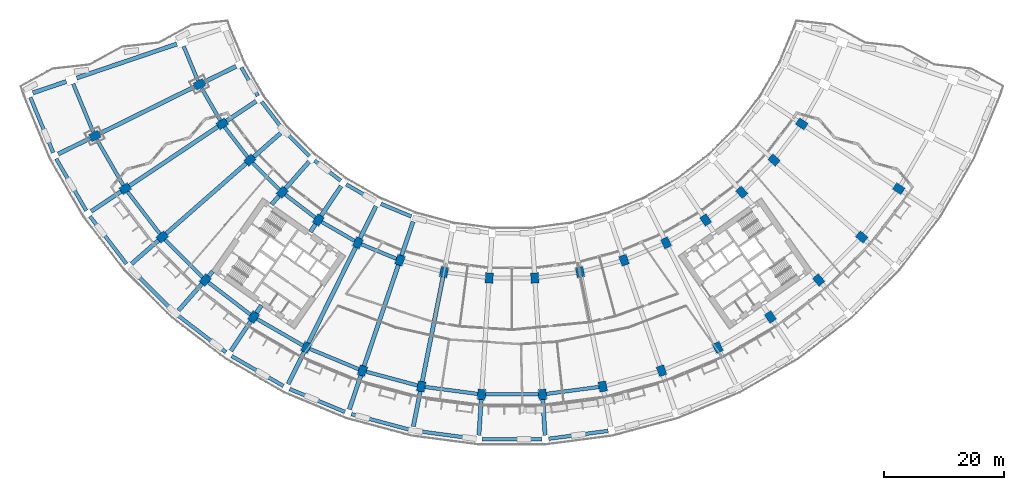
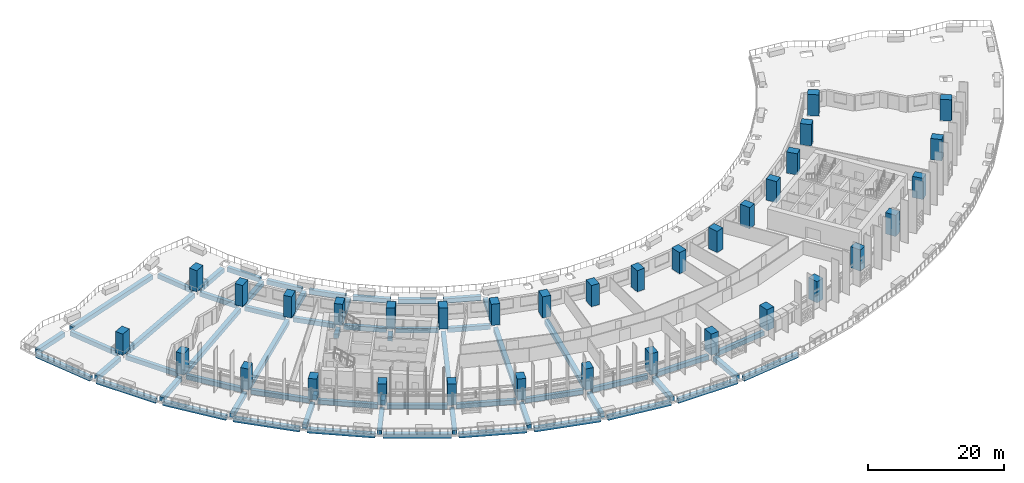
# One storey, part 1 of 35: 64 beams, 34 columns.
"""IFC4 building model written with IfcOpenShell, lengths in metres."""

from ifc_helpers import new_model, si_unit, direction, frame, origin, origin_2d, place, context, subcontext, project, spatial, rectangle, extrude, material, material_profile, profile_set, type_object, element, save


model = new_model("IFC4")

# Units and contexts
model_context = context("Model", 3, precision=1e-05, world=origin(), true_north=direction((0.0, 1.0)))
body_context = subcontext(model_context, "Body", "Model", "MODEL_VIEW")
ifc_project = project(units=[si_unit("LENGTHUNIT", "METRE"), si_unit("AREAUNIT", "SQUARE_METRE"), si_unit("VOLUMEUNIT", "CUBIC_METRE"), si_unit("PLANEANGLEUNIT", "RADIAN"), si_unit("MASSUNIT", "GRAM", prefix="KILO")], contexts=[model_context])

# Site, building, storey
site_placement = place(None, origin())
site = spatial("IfcSite", under=ifc_project, at=site_placement, CompositionType="ELEMENT")
building_placement = place(site_placement, origin())
building = spatial("IfcBuilding", under=site, at=building_placement, Name="Qamariyya Broadcast Tower", CompositionType="ELEMENT")
storey_placement = place(building_placement, frame((0.0, 0.0, 40.5)))
storey = spatial("IfcBuildingStorey", under=building, at=storey_placement, Name="L06", CompositionType="ELEMENT", Elevation=40.5)

# Columns
ifc_material_1 = material(Name="Concrete C70/85", Category="concrete")
ifc_material_profile_1 = material_profile(ifc_material_1, rectangle(XDim=1.300048828125, YDim=1.699951171875, at=origin_2d()))
ifc_profile_set_1 = profile_set([ifc_material_profile_1], Name="Concrete C70/85")
column_type = type_object("IfcColumnType", Name="RC column 1300 x 1700 C70/85", PredefinedType="COLUMN", material=ifc_profile_set_1)
for number, where, z_axis, x_axis, name in (
    (1, (-48.43310546875, -32.362060546875, 0.0), (0.0, 0.0, 1.0), (0.55557023302, -0.831469612303, 0.0), "Column C5 L06 B-R03"),
    (2, (-64.646728515625, -43.195556640625, 0.0), (0.0, 0.0, 1.0), (0.55557023302, -0.831469612303, 0.0), "Column C5 L06 C-R03"),
    (3, (-43.794677734375, -38.406982421875, 0.0), (0.0, 0.0, 1.0), (0.6593458151, -0.751839807479, 0.0), "Column C5 L06 B-R04"),
    (4, (-58.45556640625, -51.26416015625, 0.0), (0.0, 0.0, 1.0), (0.6593458151, -0.751839807479, 0.0), "Column C5 L06 C-R04"),
    (5, (-38.406982421875, -43.794677734375, 0.0), (0.0, 0.0, 1.0), (0.751839807479, -0.6593458151, 0.0), "Column C5 L06 B-R05"),
    (6, (-51.26416015625, -58.45556640625, 0.0), (0.0, 0.0, 1.0), (0.751839807479, -0.6593458151, 0.0), "Column C5 L06 C-R05"),
    (7, (-32.362060546875, -48.43310546875, 0.0), (0.0, 0.0, 1.0), (0.831469612303, -0.55557023302, 0.0), "Column C5 L06 B-R06"),
    (8, (-43.195556640625, -64.646728515625, 0.0), (0.0, 0.0, 1.0), (0.831469612303, -0.55557023302, 0.0), "Column C5 L06 C-R06"),
    (9, (-25.763427734375, -52.242919921875, 0.0), (0.0, 0.0, 1.0), (0.896872741533, -0.442288690219, 0.0), "Column C5 L06 B-R07"),
    (10, (-34.387939453125, -69.73193359375, 0.0), (0.0, 0.0, 1.0), (0.896872741533, -0.442288690219, 0.0), "Column C5 L06 C-R07"),
    (11, (-18.723876953125, -55.15869140625, 0.0), (0.0, 0.0, 1.0), (0.946930129495, -0.321439465303, 0.0), "Column C5 L06 B-R08"),
    (12, (-24.991943359375, -73.623779296875, 0.0), (0.0, 0.0, 1.0), (0.946930129495, -0.321439465303, 0.0), "Column C5 L06 C-R08"),
    (13, (-11.364013671875, -57.130859375, 0.0), (0.0, 0.0, 1.0), (0.980785280403, -0.195090322016, 0.0), "Column C5 L06 B-R09"),
    (14, (-15.168212890625, -76.256103515625, 0.0), (0.0, 0.0, 1.0), (0.980785280403, -0.195090322016, 0.0), "Column C5 L06 C-R09"),
    (15, (-3.809814453125, -58.125244140625, 0.0), (0.0, 0.0, 1.0), (0.997858923239, -0.06540312923, 0.0), "Column C5 L06 B-R10"),
    (16, (-5.085205078125, -77.58349609375, 0.0), (0.0, 0.0, 1.0), (0.997858923239, -0.06540312923, 0.0), "Column C5 L06 C-R10"),
    (17, (3.809814453125, -58.125244140625, 0.0), (0.0, 0.0, 1.0), (0.997858923239, 0.06540312923, 0.0), "Column C5 L06 B-R11"),
    (18, (5.085205078125, -77.58349609375, 0.0), (0.0, 0.0, 1.0), (0.997858923239, 0.06540312923, 0.0), "Column C5 L06 C-R11"),
    (19, (11.364013671875, -57.130859375, 0.0), (0.0, 0.0, 1.0), (0.980785280403, 0.195090322016, 0.0), "Column C5 L06 B-R12"),
    (20, (15.168212890625, -76.256103515625, 0.0), (0.0, 0.0, 1.0), (0.980785280403, 0.195090322016, 0.0), "Column C5 L06 C-R12"),
    (21, (18.723876953125, -55.15869140625, 0.0), (0.0, 0.0, 1.0), (0.946930129495, 0.321439465303, 0.0), "Column C5 L06 B-R13"),
    (22, (24.991943359375, -73.623779296875, 0.0), (0.0, 0.0, 1.0), (0.946930129495, 0.321439465303, 0.0), "Column C5 L06 C-R13"),
    (23, (25.763427734375, -52.242919921875, 0.0), (0.0, 0.0, 1.0), (0.896872741533, 0.442288690219, 0.0), "Column C5 L06 B-R14"),
    (24, (34.387939453125, -69.73193359375, 0.0), (0.0, 0.0, 1.0), (0.896872741533, 0.442288690219, 0.0), "Column C5 L06 C-R14"),
    (25, (32.362060546875, -48.43310546875, 0.0), (0.0, 0.0, 1.0), (0.831469612303, 0.55557023302, 0.0), "Column C5 L06 B-R15"),
    (26, (43.195556640625, -64.646728515625, 0.0), (0.0, 0.0, 1.0), (0.831469612303, 0.55557023302, 0.0), "Column C5 L06 C-R15"),
    (27, (38.406982421875, -43.794677734375, 0.0), (0.0, 0.0, 1.0), (0.751839807479, 0.6593458151, 0.0), "Column C5 L06 B-R16"),
    (28, (51.26416015625, -58.45556640625, 0.0), (0.0, 0.0, 1.0), (0.751839807479, 0.6593458151, 0.0), "Column C5 L06 C-R16"),
    (29, (43.794677734375, -38.406982421875, 0.0), (0.0, 0.0, 1.0), (0.6593458151, 0.751839807479, 0.0), "Column C5 L06 B-R17"),
    (30, (58.45556640625, -51.26416015625, 0.0), (0.0, 0.0, 1.0), (0.6593458151, 0.751839807479, 0.0), "Column C5 L06 C-R17"),
    (31, (48.43310546875, -32.362060546875, 0.0), (0.0, 0.0, 1.0), (0.55557023302, 0.831469612303, 0.0), "Column C5 L06 B-R18"),
    (32, (64.646728515625, -43.195556640625, 0.0), (0.0, 0.0, 1.0), (0.55557023302, 0.831469612303, 0.0), "Column C5 L06 C-R18"),
    (33, (-52.242919921875, -25.763427734375, 0.0), (0.0, 0.0, 1.0), (0.442288690219, -0.896872741533, 0.0), "Column C5 L06 B-R02"),
    (34, (-69.73193359375, -34.387939453125, 0.0), (0.0, 0.0, 1.0), (0.442288690219, -0.896872741533, 0.0), "Column C5 L06 C-R02"),
):
    element("IfcColumn", number, at=place(storey_placement, frame(where, z_axis=z_axis, x_axis=x_axis)), inside=storey, type_object=column_type, Name=name, PredefinedType="COLUMN", context=body_context, shape_type="SweptSolid", body=[
        extrude(rectangle(XDim=1.300048828125, YDim=1.699951171875, at=origin_2d()), origin(), (0.0, 0.0, 1.0), 3.800048828125),
    ])

# Beams
ifc_material_2 = material(Name="Concrete C50/60", Category="concrete")
ifc_material_profile_2 = material_profile(ifc_material_2, rectangle(XDim=0.60009765625, YDim=0.800048828125, at=origin_2d()))
ifc_profile_set_2 = profile_set([ifc_material_profile_2], Name="Concrete C50/60")
beam_type_1 = type_object("IfcBeamType", Name="RC edge beam 600 x 800 C50/60", PredefinedType="SPANDREL", material=ifc_profile_set_2)
for number, where, z_axis, x_axis, name in (
    (35, (-45.24072265625, -22.923583984375, -0.699951171875), (0.500018944545, -0.86601446587, 0.0), (0.86601446587, 0.500018944545, 0.0), "Edge beam B6 L06 A R02-R03"),
    (36, (-41.861572265625, -28.632568359375, -0.699951171875), (0.60877682934, -0.793341522964, 0.0), (0.793341522964, 0.60877682934, 0.0), "Edge beam B6 L06 A R03-R04"),
):
    element("IfcBeam", number, at=place(storey_placement, frame(where, z_axis=z_axis, x_axis=x_axis)), inside=storey, type_object=beam_type_1, Name=name, PredefinedType="SPANDREL", context=body_context, shape_type="SweptSolid", body=[
        extrude(rectangle(XDim=0.60009765625, YDim=0.800048828125, at=origin_2d()), origin(), (0.0, 0.0, 1.0), 5.535888671875),
    ])
beam_1_placement = place(storey_placement, frame((-37.76611328125, -33.8515625, -0.699951171875), z_axis=(0.707106781187, -0.707106781187, 0.0), x_axis=(0.707106781187, 0.707106781187, 0.0)))
element("IfcBeam", 37, at=beam_1_placement, inside=storey, type_object=beam_type_1, Name="Edge beam B6 L06 A R04-R05", PredefinedType="SPANDREL", context=body_context, shape_type="SweptSolid", body=[
    extrude(rectangle(XDim=0.60009765625, YDim=0.800048828125, at=origin_2d()), origin(), (0.0, 0.0, 1.0), 5.5361328125),
])
for number, where, z_axis, x_axis, name in (
    (38, (-33.0244140625, -38.491455078125, -0.699951171875), (0.793341522964, -0.60877682934, 0.0), (0.60877682934, 0.793341522964, 0.0), "Edge beam B6 L06 A R05-R06"),
    (39, (-27.7177734375, -42.47265625, -0.699951171875), (0.86601446587, -0.500018944545, 0.0), (0.500018944545, 0.86601446587, 0.0), "Edge beam B6 L06 A R06-R07"),
):
    element("IfcBeam", number, at=place(storey_placement, frame(where, z_axis=z_axis, x_axis=x_axis)), inside=storey, type_object=beam_type_1, Name=name, PredefinedType="SPANDREL", context=body_context, shape_type="SweptSolid", body=[
        extrude(rectangle(XDim=0.60009765625, YDim=0.800048828125, at=origin_2d()), origin(), (0.0, 0.0, 1.0), 5.535888671875),
    ])
beam_2_placement = place(storey_placement, frame((-21.93701171875, -45.727294921875, -0.699951171875), z_axis=(0.92389160204, -0.382654292645, 0.0), x_axis=(0.382654292645, 0.92389160204, 0.0)))
element("IfcBeam", 40, at=beam_2_placement, inside=storey, type_object=beam_type_1, Name="Edge beam B6 L06 A R07-R08", PredefinedType="SPANDREL", context=body_context, shape_type="SweptSolid", body=[
    extrude(rectangle(XDim=0.60009765625, YDim=0.800048828125, at=origin_2d()), origin(), (0.0, 0.0, 1.0), 5.5361328125),
])
beam_3_placement = place(storey_placement, frame((-54.89013671875, -19.3720703125, -0.699951171875), z_axis=(0.38268477858, -0.92387897489, 0.0), x_axis=(0.92387897489, 0.38268477858, 0.0)))
element("IfcBeam", 41, at=beam_3_placement, inside=storey, type_object=beam_type_1, Name="Edge beam B6 L06 B R01-R02", PredefinedType="SPANDREL", context=body_context, shape_type="SweptSolid", body=[
    extrude(rectangle(XDim=0.60009765625, YDim=0.800048828125, at=origin_2d()), origin(), (0.0, 0.0, 1.0), 6.21630859375),
])
beam_4_placement = place(storey_placement, frame((-51.89208984375, -26.370849609375, -0.699951171875), z_axis=(0.500002362859, -0.866024039583, 0.0), x_axis=(0.866024039583, 0.500002362859, 0.0)))
element("IfcBeam", 42, at=beam_4_placement, inside=storey, type_object=beam_type_1, Name="Edge beam B6 L06 B R02-R03", PredefinedType="SPANDREL", context=body_context, shape_type="SweptSolid", body=[
    extrude(rectangle(XDim=0.60009765625, YDim=0.800048828125, at=origin_2d()), origin(), (0.0, 0.0, 1.0), 6.2666015625),
])
beam_5_placement = place(storey_placement, frame((-48.03662109375, -32.878662109375, -0.699951171875), z_axis=(0.608763348773, -0.7933518672, 0.0), x_axis=(0.7933518672, 0.608763348773, 0.0)))
element("IfcBeam", 43, at=beam_5_placement, inside=storey, type_object=beam_type_1, Name="Edge beam B6 L06 B R03-R04", PredefinedType="SPANDREL", context=body_context, shape_type="SweptSolid", body=[
    extrude(rectangle(XDim=0.60009765625, YDim=0.800048828125, at=origin_2d()), origin(), (0.0, 0.0, 1.0), 6.31689453125),
])
beam_6_placement = place(storey_placement, frame((-43.333984375, -38.867431640625, -0.699951171875), z_axis=(0.707106781187, -0.707106781187, 0.0), x_axis=(0.707106781187, 0.707106781187, 0.0)))
element("IfcBeam", 44, at=beam_6_placement, inside=storey, type_object=beam_type_1, Name="Edge beam B6 L06 B R04-R05", PredefinedType="SPANDREL", context=body_context, shape_type="SweptSolid", body=[
    extrude(rectangle(XDim=0.60009765625, YDim=0.800048828125, at=origin_2d()), origin(), (0.0, 0.0, 1.0), 6.316650390625),
])
for number, where, z_axis, x_axis, name in (
    (45, (-37.89013671875, -44.191162109375, -0.699951171875), (0.7933518672, -0.608763348773, 0.0), (0.608763348773, 0.7933518672, 0.0), "Edge beam B6 L06 B R05-R06"),
    (46, (-31.7978515625, -48.7587890625, -0.699951171875), (0.866020173512, -0.500009058987, 0.0), (0.500009058987, 0.866020173512, 0.0), "Edge beam B6 L06 B R06-R07"),
):
    element("IfcBeam", number, at=place(storey_placement, frame(where, z_axis=z_axis, x_axis=x_axis)), inside=storey, type_object=beam_type_1, Name=name, PredefinedType="SPANDREL", context=body_context, shape_type="SweptSolid", body=[
        extrude(rectangle(XDim=0.60009765625, YDim=0.800048828125, at=origin_2d()), origin(), (0.0, 0.0, 1.0), 6.31689453125),
    ])
beam_7_placement = place(storey_placement, frame((-25.16162109375, -52.4921875, -0.699951171875), z_axis=(0.923884465345, -0.382671523234, 0.0), x_axis=(0.382671523234, 0.923884465345, 0.0)))
element("IfcBeam", 47, at=beam_7_placement, inside=storey, type_object=beam_type_1, Name="Edge beam B6 L06 B R07-R08", PredefinedType="SPANDREL", context=body_context, shape_type="SweptSolid", body=[
    extrude(rectangle(XDim=0.60009765625, YDim=0.800048828125, at=origin_2d()), origin(), (0.0, 0.0, 1.0), 6.316650390625),
])
beam_8_placement = place(storey_placement, frame((-73.35546875, -25.64013671875, -0.699951171875), z_axis=(0.38270841035, -0.923869185896, 0.0), x_axis=(0.923869185896, 0.38270841035, 0.0)))
element("IfcBeam", 48, at=beam_8_placement, inside=storey, type_object=beam_type_1, Name="Edge beam B6 L06 C R01-R02", PredefinedType="SPANDREL", context=body_context, shape_type="SweptSolid", body=[
    extrude(rectangle(XDim=0.60009765625, YDim=0.800048828125, at=origin_2d()), origin(), (0.0, 0.0, 1.0), 8.76708984375),
])
beam_9_placement = place(storey_placement, frame((-69.381103515625, -34.995361328125, -0.699951171875), z_axis=(0.500004477908, -0.866022818448, 0.0), x_axis=(0.866022818448, 0.500004477908, 0.0)))
element("IfcBeam", 49, at=beam_9_placement, inside=storey, type_object=beam_type_1, Name="Edge beam B6 L06 C R02-R03", PredefinedType="SPANDREL", context=body_context, shape_type="SweptSolid", body=[
    extrude(rectangle(XDim=0.60009765625, YDim=0.800048828125, at=origin_2d()), origin(), (0.0, 0.0, 1.0), 8.8173828125),
])
beam_10_placement = place(storey_placement, frame((-64.250244140625, -43.71240234375, -0.699951171875), z_axis=(0.608769622928, -0.793347052809, 0.0), x_axis=(0.793347052809, 0.608769622928, 0.0)))
element("IfcBeam", 50, at=beam_10_placement, inside=storey, type_object=beam_type_1, Name="Edge beam B6 L06 C R03-R04", PredefinedType="SPANDREL", context=body_context, shape_type="SweptSolid", body=[
    extrude(rectangle(XDim=0.60009765625, YDim=0.800048828125, at=origin_2d()), origin(), (0.0, 0.0, 1.0), 8.867431640625),
])
beam_11_placement = place(storey_placement, frame((-57.994873046875, -51.724853515625, -0.699951171875), z_axis=(0.707106781187, -0.707106781187, 0.0), x_axis=(0.707106781187, 0.707106781187, 0.0)))
element("IfcBeam", 51, at=beam_11_placement, inside=storey, type_object=beam_type_1, Name="Edge beam B6 L06 C R04-R05", PredefinedType="SPANDREL", context=body_context, shape_type="SweptSolid", body=[
    extrude(rectangle(XDim=0.60009765625, YDim=0.800048828125, at=origin_2d()), origin(), (0.0, 0.0, 1.0), 8.8671875),
])
beam_12_placement = place(storey_placement, frame((-50.747314453125, -58.85205078125, -0.699951171875), z_axis=(0.793347052809, -0.608769622928, 0.0), x_axis=(0.608769622928, 0.793347052809, 0.0)))
element("IfcBeam", 52, at=beam_12_placement, inside=storey, type_object=beam_type_1, Name="Edge beam B6 L06 C R05-R06", PredefinedType="SPANDREL", context=body_context, shape_type="SweptSolid", body=[
    extrude(rectangle(XDim=0.60009765625, YDim=0.800048828125, at=origin_2d()), origin(), (0.0, 0.0, 1.0), 8.867431640625),
])
beam_13_placement = place(storey_placement, frame((-42.63134765625, -64.972412109375, -0.699951171875), z_axis=(0.866013187848, -0.500021158025, 0.0), x_axis=(0.500021158025, 0.866013187848, 0.0)))
element("IfcBeam", 53, at=beam_13_placement, inside=storey, type_object=beam_type_1, Name="Edge beam B6 L06 C R06-R07", PredefinedType="SPANDREL", context=body_context, shape_type="SweptSolid", body=[
    extrude(rectangle(XDim=0.60009765625, YDim=0.800048828125, at=origin_2d()), origin(), (0.0, 0.0, 1.0), 8.8671875),
])
for number, where, z_axis, x_axis, name in (
    (54, (-33.7861328125, -69.981201171875, -0.699951171875), (0.923882942367, -0.382675200142, 0.0), (0.382675200142, 0.923882942367, 0.0), "Edge beam B6 L06 C R07-R08"),
    (55, (-24.36279296875, -73.79248046875, -0.699951171875), (0.965930847021, -0.258800306749, 0.0), (0.258800306749, 0.965930847021, 0.0), "Edge beam B6 L06 C R08-R09"),
    (56, (-14.5224609375, -76.341064453125, -0.699951171875), (0.991444171706, -0.13053143066, 0.0), (0.13053143066, 0.991444171706, 0.0), "Edge beam B6 L06 C R09-R10"),
):
    element("IfcBeam", number, at=place(storey_placement, frame(where, z_axis=z_axis, x_axis=x_axis)), inside=storey, type_object=beam_type_1, Name=name, PredefinedType="SPANDREL", context=body_context, shape_type="SweptSolid", body=[
        extrude(rectangle(XDim=0.60009765625, YDim=0.800048828125, at=origin_2d()), origin(), (0.0, 0.0, 1.0), 8.867431640625),
    ])
beam_14_placement = place(storey_placement, frame((-4.43359375, -77.58349609375, -0.699951171875), z_axis=(1.0, 0.0, 0.0), x_axis=(0.0, 1.0, 0.0)))
element("IfcBeam", 57, at=beam_14_placement, inside=storey, type_object=beam_type_1, Name="Edge beam B6 L06 C R10-R11", PredefinedType="SPANDREL", context=body_context, shape_type="SweptSolid", body=[
    extrude(rectangle(XDim=0.60009765625, YDim=0.800048828125, at=origin_2d()), origin(), (0.0, 0.0, 1.0), 8.8671875),
])
beam_15_placement = place(storey_placement, frame((5.73095703125, -77.49853515625, -0.699951171875), z_axis=(0.991444171706, 0.13053143066, 0.0), x_axis=(-0.13053143066, 0.991444171706, 0.0)))
element("IfcBeam", 58, at=beam_15_placement, inside=storey, type_object=beam_type_1, Name="Edge beam B6 L06 C R11-R12", PredefinedType="SPANDREL", context=body_context, shape_type="SweptSolid", body=[
    extrude(rectangle(XDim=0.60009765625, YDim=0.800048828125, at=origin_2d()), origin(), (0.0, 0.0, 1.0), 8.867431640625),
])
for number, where, z_axis, x_axis, name in (
    (59, (-80.514892578125, -27.911865234375, -0.699951171875), (0.382677229034, -0.923882101991, 0.0), (0.923882101991, 0.382677229034, 0.0), "Edge beam B6 L06 D R01-R02"),
    (60, (-76.182861328125, -38.182373046875, -0.699951171875), (0.499995851058, -0.866027799164, 0.0), (0.866027799164, 0.499995851058, 0.0), "Edge beam B6 L06 D R02-R03"),
):
    element("IfcBeam", number, at=place(storey_placement, frame(where, z_axis=z_axis, x_axis=x_axis)), inside=storey, type_object=beam_type_1, Name=name, PredefinedType="SPANDREL", context=body_context, shape_type="SweptSolid", body=[
        extrude(rectangle(XDim=0.60009765625, YDim=0.800048828125, at=origin_2d()), origin(), (0.0, 0.0, 1.0), 10.048828125),
    ])
for number, where, z_axis, x_axis, name in (
    (61, (-70.54736328125, -47.799560546875, -0.699951171875), (0.608760468816, -0.793354077072, 0.0), (0.793354077072, 0.608760468816, 0.0), "Edge beam B6 L06 D R03-R04"),
    (62, (-63.70458984375, -56.598876953125, -0.699951171875), (0.707106781187, -0.707106781187, 0.0), (0.707106781187, 0.707106781187, 0.0), "Edge beam B6 L06 D R04-R05"),
    (63, (-55.77197265625, -64.429931640625, -0.699951171875), (0.793354077072, -0.608760468816, 0.0), (0.608760468816, 0.793354077072, 0.0), "Edge beam B6 L06 D R05-R06"),
):
    element("IfcBeam", number, at=place(storey_placement, frame(where, z_axis=z_axis, x_axis=x_axis)), inside=storey, type_object=beam_type_1, Name=name, PredefinedType="SPANDREL", context=body_context, shape_type="SweptSolid", body=[
        extrude(rectangle(XDim=0.60009765625, YDim=0.800048828125, at=origin_2d()), origin(), (0.0, 0.0, 1.0), 10.049072265625),
    ])
for number, where, z_axis, x_axis, name in (
    (64, (-46.885009765625, -71.158447265625, -0.699951171875), (0.866027799164, -0.499995851058, 0.0), (0.499995851058, 0.866027799164, 0.0), "Edge beam B6 L06 D R06-R07"),
    (65, (-37.19580078125, -76.66943359375, -0.699951171875), (0.923882101991, -0.382677229034, 0.0), (0.382677229034, 0.923882101991, 0.0), "Edge beam B6 L06 D R07-R08"),
    (66, (-26.870361328125, -80.868408203125, -0.699951171875), (0.96592657939, -0.258816234475, 0.0), (0.258816234475, 0.96592657939, 0.0), "Edge beam B6 L06 D R08-R09"),
    (67, (-16.0849609375, -83.683837890625, -0.699951171875), (0.991443211053, -0.130538727039, 0.0), (0.130538727039, 0.991443211053, 0.0), "Edge beam B6 L06 D R09-R10"),
    (68, (-5.0244140625, -85.0673828125, -0.699951171875), (1.0, 0.0, 0.0), (0.0, 1.0, 0.0), "Edge beam B6 L06 D R10-R11"),
    (69, (6.1220703125, -84.99560546875, -0.699951171875), (0.991443211053, 0.130538727039, 0.0), (-0.130538727039, 0.991443211053, 0.0), "Edge beam B6 L06 D R11-R12"),
):
    element("IfcBeam", number, at=place(storey_placement, frame(where, z_axis=z_axis, x_axis=x_axis)), inside=storey, type_object=beam_type_1, Name=name, PredefinedType="SPANDREL", context=body_context, shape_type="SweptSolid", body=[
        extrude(rectangle(XDim=0.60009765625, YDim=0.800048828125, at=origin_2d()), origin(), (0.0, 0.0, 1.0), 10.048828125),
    ])
ifc_material_profile_3 = material_profile(ifc_material_2, rectangle(XDim=0.699951171875, YDim=0.800048828125, at=origin_2d()))
ifc_profile_set_3 = profile_set([ifc_material_profile_3], Name="Concrete C50/60")
beam_type_2 = type_object("IfcBeamType", Name="RC radial beam 700 x 800 C50/60", PredefinedType="BEAM", material=ifc_profile_set_3)
beam_16_placement = place(storey_placement, frame((-56.010986328125, -19.01318359375, -0.699951171875), z_axis=(-0.946929601856, -0.321441019674, 0.0), x_axis=(0.321441019674, -0.946929601856, 0.0)))
element("IfcBeam", 70, at=beam_16_placement, inside=storey, type_object=beam_type_2, Name="Radial beam B5 L06 R01 B-C", PredefinedType="BEAM", context=body_context, shape_type="SweptSolid", body=[
    extrude(rectangle(XDim=0.699951171875, YDim=0.800048828125, at=origin_2d()), origin(), (0.0, 0.0, 1.0), 17.699951171875),
])
beam_17_placement = place(storey_placement, frame((-74.47607421875, -25.28125, -0.699951171875), z_axis=(-0.946929197619, -0.32144221051, 0.0), x_axis=(0.32144221051, -0.946929197619, 0.0)))
element("IfcBeam", 71, at=beam_17_placement, inside=storey, type_object=beam_type_2, Name="Radial beam B5 L06 R01 C-D", PredefinedType="BEAM", context=body_context, shape_type="SweptSolid", body=[
    extrude(rectangle(XDim=0.699951171875, YDim=0.800048828125, at=origin_2d()), origin(), (0.0, 0.0, 1.0), 5.949951171875),
])
beam_18_placement = place(storey_placement, frame((-46.099365234375, -22.733642578125, -0.699951171875), z_axis=(-0.896867525941, -0.442299266236, 0.0), x_axis=(0.442299266236, -0.896867525941, 0.0)))
element("IfcBeam", 72, at=beam_18_placement, inside=storey, type_object=beam_type_2, Name="Radial beam B5 L06 R02 A-B", PredefinedType="BEAM", context=body_context, shape_type="SweptSolid", body=[
    extrude(rectangle(XDim=0.699951171875, YDim=0.800048828125, at=origin_2d()), origin(), (0.0, 0.0, 1.0), 5.94970703125),
])
beam_19_placement = place(storey_placement, frame((-53.050048828125, -26.161376953125, -0.699951171875), z_axis=(-0.896868921808, -0.442296435771, 0.0), x_axis=(0.442296435771, -0.896868921808, 0.0)))
element("IfcBeam", 73, at=beam_19_placement, inside=storey, type_object=beam_type_2, Name="Radial beam B5 L06 R02 B-C", PredefinedType="BEAM", context=body_context, shape_type="SweptSolid", body=[
    extrude(rectangle(XDim=0.699951171875, YDim=0.800048828125, at=origin_2d()), origin(), (0.0, 0.0, 1.0), 17.699951171875),
])
beam_20_placement = place(storey_placement, frame((-70.5390625, -34.785888671875, -0.699951171875), z_axis=(-0.896859276255, -0.442315994054, 0.0), x_axis=(0.442315994054, -0.896859276255, 0.0)))
element("IfcBeam", 74, at=beam_20_placement, inside=storey, type_object=beam_type_2, Name="Radial beam B5 L06 R02 C-D", PredefinedType="BEAM", context=body_context, shape_type="SweptSolid", body=[
    extrude(rectangle(XDim=0.699951171875, YDim=0.800048828125, at=origin_2d()), origin(), (0.0, 0.0, 1.0), 5.9501953125),
])
beam_21_placement = place(storey_placement, frame((-42.737548828125, -28.556396484375, -0.699951171875), z_axis=(-0.831480181352, -0.555554414994, 0.0), x_axis=(0.555554414994, -0.831480181352, 0.0)))
element("IfcBeam", 75, at=beam_21_placement, inside=storey, type_object=beam_type_2, Name="Radial beam B5 L06 R03 A-B", PredefinedType="BEAM", context=body_context, shape_type="SweptSolid", body=[
    extrude(rectangle(XDim=0.699951171875, YDim=0.800048828125, at=origin_2d()), origin(), (0.0, 0.0, 1.0), 5.999755859375),
])
beam_22_placement = place(storey_placement, frame((-49.139892578125, -32.834228515625, -0.699951171875), z_axis=(-0.831467440413, -0.555573483469, 0.0), x_axis=(0.555573483469, -0.831467440413, 0.0)))
element("IfcBeam", 76, at=beam_22_placement, inside=storey, type_object=beam_type_2, Name="Radial beam B5 L06 R03 B-C", PredefinedType="BEAM", context=body_context, shape_type="SweptSolid", body=[
    extrude(rectangle(XDim=0.699951171875, YDim=0.800048828125, at=origin_2d()), origin(), (0.0, 0.0, 1.0), 17.7998046875),
])
for number, where, z_axis, x_axis, name in (
    (77, (-65.353515625, -43.667724609375, -0.699951171875), (-0.831461384799, -0.555582546151, 0.0), (0.555582546151, -0.831461384799, 0.0), "Radial beam B5 L06 R03 C-D"),
    (78, (-38.64453125, -33.890380859375, -0.699951171875), (-0.751837671483, -0.659348250729, 0.0), (0.659348250729, -0.751837671483, 0.0), "Radial beam B5 L06 R04 A-B"),
):
    element("IfcBeam", number, at=place(storey_placement, frame(where, z_axis=z_axis, x_axis=x_axis)), inside=storey, type_object=beam_type_2, Name=name, PredefinedType="BEAM", context=body_context, shape_type="SweptSolid", body=[
        extrude(rectangle(XDim=0.699951171875, YDim=0.800048828125, at=origin_2d()), origin(), (0.0, 0.0, 1.0), 6.0),
    ])
beam_23_placement = place(storey_placement, frame((-44.433837890625, -38.96728515625, -0.699951171875), z_axis=(-0.751836168626, -0.659349964393, 0.0), x_axis=(0.659349964393, -0.751836168626, 0.0)))
element("IfcBeam", 79, at=beam_23_placement, inside=storey, type_object=beam_type_2, Name="Radial beam B5 L06 R04 B-C", PredefinedType="BEAM", context=body_context, shape_type="SweptSolid", body=[
    extrude(rectangle(XDim=0.699951171875, YDim=0.800048828125, at=origin_2d()), origin(), (0.0, 0.0, 1.0), 17.7998046875),
])
for number, where, z_axis, x_axis, name in (
    (80, (-59.0947265625, -51.824462890625, -0.699951171875), (-0.75181750048, -0.659371250489, 0.0), (0.659371250489, -0.75181750048, 0.0), "Radial beam B5 L06 R04 C-D"),
    (81, (-33.890380859375, -38.64453125, -0.699951171875), (-0.659348250729, -0.751837671483, 0.0), (0.751837671483, -0.659348250729, 0.0), "Radial beam B5 L06 R05 A-B"),
):
    element("IfcBeam", number, at=place(storey_placement, frame(where, z_axis=z_axis, x_axis=x_axis)), inside=storey, type_object=beam_type_2, Name=name, PredefinedType="BEAM", context=body_context, shape_type="SweptSolid", body=[
        extrude(rectangle(XDim=0.699951171875, YDim=0.800048828125, at=origin_2d()), origin(), (0.0, 0.0, 1.0), 6.0),
    ])
beam_24_placement = place(storey_placement, frame((-38.96728515625, -44.433837890625, -0.699951171875), z_axis=(-0.659385827408, -0.751804715743, 0.0), x_axis=(0.751804715743, -0.659385827408, 0.0)))
element("IfcBeam", 82, at=beam_24_placement, inside=storey, type_object=beam_type_2, Name="Radial beam B5 L06 R05 B-C", PredefinedType="BEAM", context=body_context, shape_type="SweptSolid", body=[
    extrude(rectangle(XDim=0.699951171875, YDim=0.800048828125, at=origin_2d()), origin(), (0.0, 0.0, 1.0), 1.8623046875),
])
beam_25_placement = place(storey_placement, frame((-50.011962890625, -57.027587890625, -0.699951171875), z_axis=(-0.659278599496, -0.751898748667, 0.0), x_axis=(0.751898748667, -0.659278599496, 0.0)))
element("IfcBeam", 83, at=beam_25_placement, inside=storey, type_object=beam_type_2, Name="Radial beam B5 L06 R05 B-C", PredefinedType="BEAM", context=body_context, shape_type="SweptSolid", body=[
    extrude(rectangle(XDim=0.699951171875, YDim=0.800048828125, at=origin_2d()), origin(), (0.0, 0.0, 1.0), 1.049072265625),
])
beam_26_placement = place(storey_placement, frame((-51.824462890625, -59.0947265625, -0.699951171875), z_axis=(-0.659371250489, -0.75181750048, 0.0), x_axis=(0.75181750048, -0.659371250489, 0.0)))
element("IfcBeam", 84, at=beam_26_placement, inside=storey, type_object=beam_type_2, Name="Radial beam B5 L06 R05 C-D", PredefinedType="BEAM", context=body_context, shape_type="SweptSolid", body=[
    extrude(rectangle(XDim=0.699951171875, YDim=0.800048828125, at=origin_2d()), origin(), (0.0, 0.0, 1.0), 6.0),
])
beam_27_placement = place(storey_placement, frame((-28.556396484375, -42.737548828125, -0.699951171875), z_axis=(-0.555554414994, -0.831480181352, 0.0), x_axis=(0.831480181352, -0.555554414994, 0.0)))
element("IfcBeam", 85, at=beam_27_placement, inside=storey, type_object=beam_type_2, Name="Radial beam B5 L06 R06 A-B", PredefinedType="BEAM", context=body_context, shape_type="SweptSolid", body=[
    extrude(rectangle(XDim=0.699951171875, YDim=0.800048828125, at=origin_2d()), origin(), (0.0, 0.0, 1.0), 5.999755859375),
])
beam_28_placement = place(storey_placement, frame((-32.834228515625, -49.139892578125, -0.699951171875), z_axis=(-0.555518362002, -0.831504269068, 0.0), x_axis=(0.831504269068, -0.555518362002, 0.0)))
element("IfcBeam", 86, at=beam_28_placement, inside=storey, type_object=beam_type_2, Name="Radial beam B5 L06 R06 B-C", PredefinedType="BEAM", context=body_context, shape_type="SweptSolid", body=[
    extrude(rectangle(XDim=0.699951171875, YDim=0.800048828125, at=origin_2d()), origin(), (0.0, 0.0, 1.0), 1.514404296875),
])
beam_29_placement = place(storey_placement, frame((-41.89990234375, -62.707763671875, -0.699951171875), z_axis=(-0.555650227013, -0.831416156459, 0.0), x_axis=(0.831416156459, -0.555650227013, 0.0)))
element("IfcBeam", 87, at=beam_29_placement, inside=storey, type_object=beam_type_2, Name="Radial beam B5 L06 R06 B-C", PredefinedType="BEAM", context=body_context, shape_type="SweptSolid", body=[
    extrude(rectangle(XDim=0.699951171875, YDim=0.800048828125, at=origin_2d()), origin(), (0.0, 0.0, 1.0), 1.48193359375),
])
for number, where, z_axis, x_axis, name in (
    (88, (-43.667724609375, -65.353515625, -0.699951171875), (-0.555582546151, -0.831461384799, 0.0), (0.831461384799, -0.555582546151, 0.0), "Radial beam B5 L06 R06 C-D"),
    (89, (-22.733642578125, -46.099365234375, -0.699951171875), (-0.442307728476, -0.896863352652, 0.0), (0.896863352652, -0.442307728476, 0.0), "Radial beam B5 L06 R07 A-B"),
):
    element("IfcBeam", number, at=place(storey_placement, frame(where, z_axis=z_axis, x_axis=x_axis)), inside=storey, type_object=beam_type_2, Name=name, PredefinedType="BEAM", context=body_context, shape_type="SweptSolid", body=[
        extrude(rectangle(XDim=0.699951171875, YDim=0.800048828125, at=origin_2d()), origin(), (0.0, 0.0, 1.0), 6.0),
    ])
beam_30_placement = place(storey_placement, frame((-26.13916015625, -53.005126953125, -0.699951171875), z_axis=(-0.442291123934, -0.896871541353, 0.0), x_axis=(0.896871541353, -0.442291123934, 0.0)))
element("IfcBeam", 90, at=beam_30_placement, inside=storey, type_object=beam_type_2, Name="Radial beam B5 L06 R07 B-C", PredefinedType="BEAM", context=body_context, shape_type="SweptSolid", body=[
    extrude(rectangle(XDim=0.699951171875, YDim=0.800048828125, at=origin_2d()), origin(), (0.0, 0.0, 1.0), 17.800048828125),
])
beam_31_placement = place(storey_placement, frame((-34.763916015625, -70.494140625, -0.699951171875), z_axis=(-0.442291587422, -0.896871312784, 0.0), x_axis=(0.896871312784, -0.442291587422, 0.0)))
element("IfcBeam", 91, at=beam_31_placement, inside=storey, type_object=beam_type_2, Name="Radial beam B5 L06 R07 C-D", PredefinedType="BEAM", context=body_context, shape_type="SweptSolid", body=[
    extrude(rectangle(XDim=0.699951171875, YDim=0.800048828125, at=origin_2d()), origin(), (0.0, 0.0, 1.0), 6.000244140625),
])
beam_32_placement = place(storey_placement, frame((-16.52197265625, -48.672119140625, -0.699951171875), z_axis=(-0.32144750987, -0.946927398695, 0.0), x_axis=(0.946927398695, -0.32144750987, 0.0)))
element("IfcBeam", 92, at=beam_32_placement, inside=storey, type_object=beam_type_2, Name="Radial beam B5 L06 R08 A-B", PredefinedType="BEAM", context=body_context, shape_type="SweptSolid", body=[
    extrude(rectangle(XDim=0.699951171875, YDim=0.800048828125, at=origin_2d()), origin(), (0.0, 0.0, 1.0), 6.0),
])
beam_33_placement = place(storey_placement, frame((-18.9970703125, -55.963623046875, -0.699951171875), z_axis=(-0.321444599042, -0.94692838681, 0.0), x_axis=(0.94692838681, -0.321444599042, 0.0)))
element("IfcBeam", 93, at=beam_33_placement, inside=storey, type_object=beam_type_2, Name="Radial beam B5 L06 R08 B-C", PredefinedType="BEAM", context=body_context, shape_type="SweptSolid", body=[
    extrude(rectangle(XDim=0.699951171875, YDim=0.800048828125, at=origin_2d()), origin(), (0.0, 0.0, 1.0), 17.7998046875),
])
beam_34_placement = place(storey_placement, frame((-25.26513671875, -74.4287109375, -0.699951171875), z_axis=(-0.32144750987, -0.946927398695, 0.0), x_axis=(0.946927398695, -0.32144750987, 0.0)))
element("IfcBeam", 94, at=beam_34_placement, inside=storey, type_object=beam_type_2, Name="Radial beam B5 L06 R08 C-D", PredefinedType="BEAM", context=body_context, shape_type="SweptSolid", body=[
    extrude(rectangle(XDim=0.699951171875, YDim=0.800048828125, at=origin_2d()), origin(), (0.0, 0.0, 1.0), 6.0),
])
beam_35_placement = place(storey_placement, frame((-11.52978515625, -57.96435546875, -0.699951171875), z_axis=(-0.19509262344, -0.980784822619, 0.0), x_axis=(0.980784822619, -0.19509262344, 0.0)))
element("IfcBeam", 95, at=beam_35_placement, inside=storey, type_object=beam_type_2, Name="Radial beam B5 L06 R09 B-C", PredefinedType="BEAM", context=body_context, shape_type="SweptSolid", body=[
    extrude(rectangle(XDim=0.699951171875, YDim=0.800048828125, at=origin_2d()), origin(), (0.0, 0.0, 1.0), 17.800048828125),
])
beam_36_placement = place(storey_placement, frame((-15.333984375, -77.08984375, -0.699951171875), z_axis=(-0.195114402779, -0.980780490134, 0.0), x_axis=(0.980780490134, -0.195114402779, 0.0)))
element("IfcBeam", 96, at=beam_36_placement, inside=storey, type_object=beam_type_2, Name="Radial beam B5 L06 R09 C-D", PredefinedType="BEAM", context=body_context, shape_type="SweptSolid", body=[
    extrude(rectangle(XDim=0.699951171875, YDim=0.800048828125, at=origin_2d()), origin(), (0.0, 0.0, 1.0), 5.999755859375),
])
for number, where, z_axis, x_axis, name in (
    (97, (-5.140625, -78.431640625, -0.699951171875), (-0.065427929143, -0.997857297457, 0.0), (0.997857297457, -0.065427929143, 0.0), "Radial beam B5 L06 R10 C-D"),
    (98, (5.140625, -78.431640625, -0.699951171875), (0.065427929143, -0.997857297457, 0.0), (0.997857297457, 0.065427929143, 0.0), "Radial beam B5 L06 R11 C-D"),
):
    element("IfcBeam", number, at=place(storey_placement, frame(where, z_axis=z_axis, x_axis=x_axis)), inside=storey, type_object=beam_type_2, Name=name, PredefinedType="BEAM", context=body_context, shape_type="SweptSolid", body=[
        extrude(rectangle(XDim=0.699951171875, YDim=0.800048828125, at=origin_2d()), origin(), (0.0, 0.0, 1.0), 6.000244140625),
    ])

save(model, "model.ifc")
